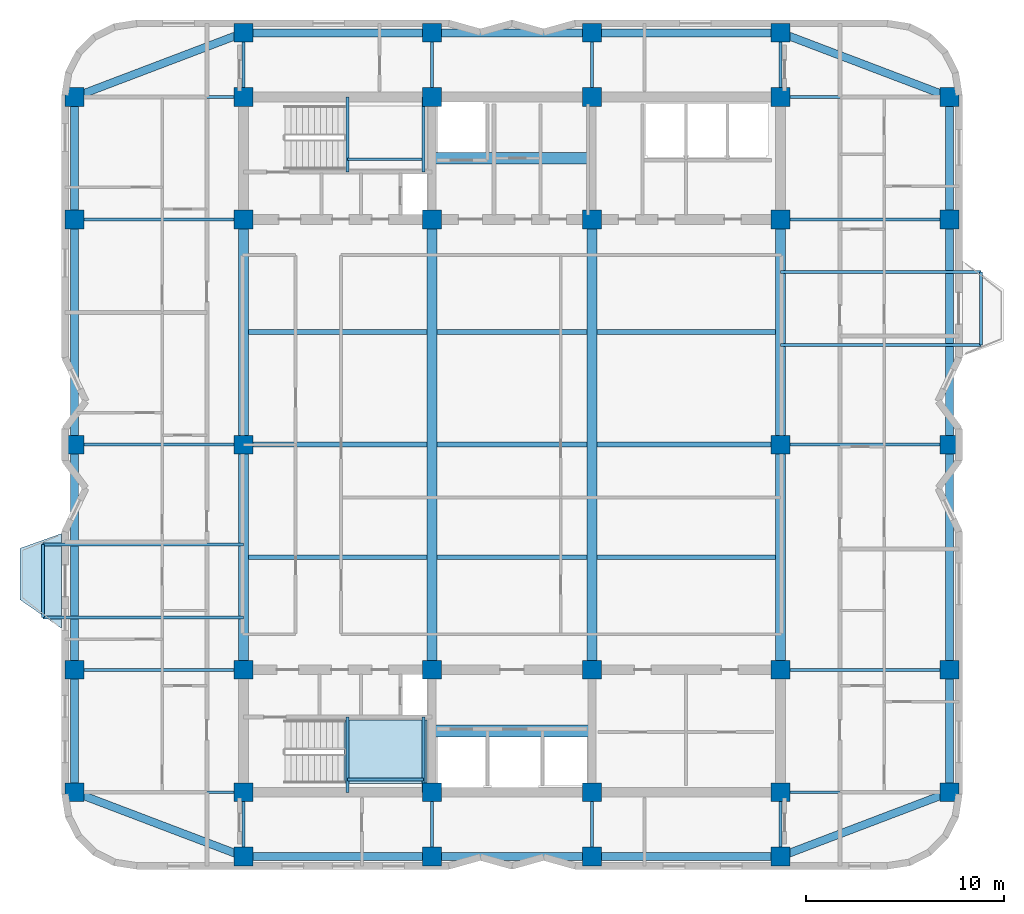
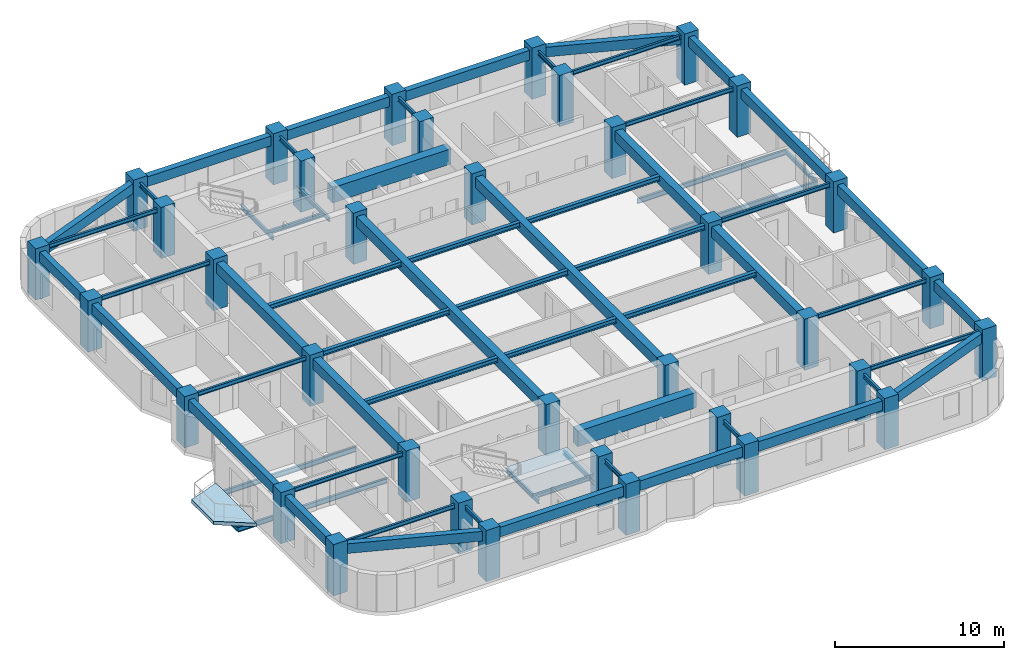
# One storey, part 1 of 9: 65 beams, 36 columns, 2 slabs, 1 element without a shape of its own.
"""IFC4 building model written with IfcOpenShell, lengths in metres."""

from ifc_helpers import new_model, si_unit, direction, frame, origin, origin_2d, place, context, subcontext, project, spatial, polyline, rectangle, i_section, outline, extrude, material, layer, layer_set, material_profile, profile_set, type_object, element, aggregate, save


model = new_model("IFC4")

# Units and contexts
model_context = context("Model", 3, precision=1e-05, world=origin(), true_north=direction((0.0, 1.0)))
body_context = subcontext(model_context, "Body", "Model", "MODEL_VIEW")
ifc_project = project(units=[si_unit("LENGTHUNIT", "METRE"), si_unit("AREAUNIT", "SQUARE_METRE"), si_unit("VOLUMEUNIT", "CUBIC_METRE"), si_unit("PLANEANGLEUNIT", "RADIAN"), si_unit("MASSUNIT", "GRAM", prefix="KILO")], contexts=[model_context])

# Site, building, storey
site_placement = place(None, origin())
site = spatial("IfcSite", under=ifc_project, at=site_placement, CompositionType="ELEMENT")
building_placement = place(site_placement, origin())
building = spatial("IfcBuilding", under=site, at=building_placement, Name="Svetorya Sky Lyceum", CompositionType="ELEMENT")
storey_placement = place(building_placement, frame((0.0, 0.0, 192.199951171875)))
storey = spatial("IfcBuildingStorey", under=building, at=storey_placement, Name="L48", CompositionType="ELEMENT", Elevation=192.199951171875)

# Columns
ifc_material_1 = material(Name="Concrete C50/60", Category="concrete")
ifc_material_profile_1 = material_profile(ifc_material_1, rectangle(XDim=0.949951171875, YDim=0.949951171875, at=origin_2d()), Name="RC COL 950x950")
ifc_profile_set_1 = profile_set([ifc_material_profile_1], Name="Concrete C50/60")
column_type = type_object("IfcColumnType", Name="COL-RC-950", PredefinedType="COLUMN", material=ifc_profile_set_1)
for number, where, z_axis, x_axis, name in (
    (1, (25.60009765625, 10.60009765625, 0.0), (0.0, 0.0, 1.0), (1.0, 0.0, 0.0), "L48 Core Column CS-11"),
    (2, (25.60009765625, 16.800048828125, 0.0), (0.0, 0.0, 1.0), (1.0, 0.0, 0.0), "L48 Core Column CS-12"),
    (3, (35.14990234375, 10.60009765625, 0.0), (0.0, 0.0, 1.0), (1.0, 0.0, 0.0), "L48 Core Column CS-21"),
    (4, (35.14990234375, 16.800048828125, 0.0), (0.0, 0.0, 1.0), (1.0, 0.0, 0.0), "L48 Core Column CS-22"),
    (5, (43.25, 10.60009765625, 0.0), (0.0, 0.0, 1.0), (1.0, 0.0, 0.0), "L48 Core Column CS-31"),
    (6, (43.25, 16.800048828125, 0.0), (0.0, 0.0, 1.0), (1.0, 0.0, 0.0), "L48 Core Column CS-32"),
    (7, (52.800048828125, 10.60009765625, 0.0), (0.0, 0.0, 1.0), (1.0, 0.0, 0.0), "L48 Core Column CS-41"),
    (8, (52.800048828125, 16.800048828125, 0.0), (0.0, 0.0, 1.0), (1.0, 0.0, 0.0), "L48 Core Column CS-42"),
    (9, (25.60009765625, 39.60009765625, 0.0), (0.0, 0.0, 1.0), (1.0, 0.0, 0.0), "L48 Core Column CN-11"),
    (10, (25.60009765625, 45.800048828125, 0.0), (0.0, 0.0, 1.0), (1.0, 0.0, 0.0), "L48 Core Column CN-12"),
    (11, (35.14990234375, 39.60009765625, 0.0), (0.0, 0.0, 1.0), (1.0, 0.0, 0.0), "L48 Core Column CN-21"),
    (12, (35.14990234375, 45.800048828125, 0.0), (0.0, 0.0, 1.0), (1.0, 0.0, 0.0), "L48 Core Column CN-22"),
    (13, (43.25, 39.60009765625, 0.0), (0.0, 0.0, 1.0), (1.0, 0.0, 0.0), "L48 Core Column CN-31"),
    (14, (43.25, 45.800048828125, 0.0), (0.0, 0.0, 1.0), (1.0, 0.0, 0.0), "L48 Core Column CN-32"),
    (15, (52.800048828125, 39.60009765625, 0.0), (0.0, 0.0, 1.0), (1.0, 0.0, 0.0), "L48 Core Column CN-41"),
    (16, (52.800048828125, 45.800048828125, 0.0), (0.0, 0.0, 1.0), (1.0, 0.0, 0.0), "L48 Core Column CN-42"),
    (17, (25.60009765625, 28.199951171875, 0.0), (0.0, 0.0, 1.0), (1.0, 0.0, 0.0), "L48 Core Column CM-W"),
    (18, (52.800048828125, 28.199951171875, 0.0), (0.0, 0.0, 1.0), (1.0, 0.0, 0.0), "L48 Core Column CM-E"),
    (19, (25.60009765625, 7.35009765625, 0.0), (0.0, 0.0, 1.0), (1.0, 0.0, 0.0), "L48 Perimeter Column S1"),
    (20, (25.60009765625, 49.050048828125, 0.0), (0.0, 0.0, 1.0), (1.0, 0.0, 0.0), "L48 Perimeter Column N1"),
    (21, (35.14990234375, 7.35009765625, 0.0), (0.0, 0.0, 1.0), (1.0, 0.0, 0.0), "L48 Perimeter Column S2"),
    (22, (35.14990234375, 49.050048828125, 0.0), (0.0, 0.0, 1.0), (1.0, 0.0, 0.0), "L48 Perimeter Column N2"),
    (23, (43.25, 7.35009765625, 0.0), (0.0, 0.0, 1.0), (1.0, 0.0, 0.0), "L48 Perimeter Column S3"),
    (24, (43.25, 49.050048828125, 0.0), (0.0, 0.0, 1.0), (1.0, 0.0, 0.0), "L48 Perimeter Column N3"),
    (25, (52.800048828125, 7.35009765625, 0.0), (0.0, 0.0, 1.0), (1.0, 0.0, 0.0), "L48 Perimeter Column S4"),
    (26, (52.800048828125, 49.050048828125, 0.0), (0.0, 0.0, 1.0), (1.0, 0.0, 0.0), "L48 Perimeter Column N4"),
    (27, (17.050048828125, 10.60009765625, 0.0), (0.0, 0.0, 1.0), (1.0, 0.0, 0.0), "L48 Perimeter Column W1"),
    (28, (61.35009765625, 10.60009765625, 0.0), (0.0, 0.0, 1.0), (1.0, 0.0, 0.0), "L48 Perimeter Column E1"),
    (29, (17.050048828125, 16.800048828125, 0.0), (0.0, 0.0, 1.0), (1.0, 0.0, 0.0), "L48 Perimeter Column W2"),
    (30, (61.35009765625, 16.800048828125, 0.0), (0.0, 0.0, 1.0), (1.0, 0.0, 0.0), "L48 Perimeter Column E2"),
    (31, (17.050048828125, 28.199951171875, 0.0), (0.0, 0.0, 1.0), (1.0, 0.0, 0.0), "L48 Perimeter Column W3"),
    (32, (61.35009765625, 28.199951171875, 0.0), (0.0, 0.0, 1.0), (1.0, 0.0, 0.0), "L48 Perimeter Column E3"),
    (33, (17.050048828125, 39.60009765625, 0.0), (0.0, 0.0, 1.0), (1.0, 0.0, 0.0), "L48 Perimeter Column W4"),
    (34, (61.35009765625, 39.60009765625, 0.0), (0.0, 0.0, 1.0), (1.0, 0.0, 0.0), "L48 Perimeter Column E4"),
    (35, (17.050048828125, 45.800048828125, 0.0), (0.0, 0.0, 1.0), (1.0, 0.0, 0.0), "L48 Perimeter Column W5"),
    (36, (61.35009765625, 45.800048828125, 0.0), (0.0, 0.0, 1.0), (1.0, 0.0, 0.0), "L48 Perimeter Column E5"),
):
    element("IfcColumn", number, at=place(storey_placement, frame(where, z_axis=z_axis, x_axis=x_axis)), inside=storey, type_object=column_type, Name=name, PredefinedType="COLUMN", context=body_context, shape_type="SweptSolid", body=[
        extrude(rectangle(XDim=0.949951171875, YDim=0.949951171875, at=origin_2d()), origin(), (0.0, 0.0, 1.0), 3.699951171875),
    ])

# Beams
ifc_material_2 = material(Name="Concrete C60/75", Category="concrete")
ifc_material_profile_2 = material_profile(ifc_material_2, rectangle(XDim=0.60009765625, YDim=1.10009765625, at=origin_2d()), Name="RC COUPLING 600x1100")
ifc_profile_set_2 = profile_set([ifc_material_profile_2], Name="Concrete C60/75")
beam_type_1 = type_object("IfcBeamType", Name="BM-CPL-1100", PredefinedType="LINTEL", material=ifc_profile_set_2)
for number, where, z_axis, x_axis, name in (
    (37, (35.14990234375, 13.699951171875, 2.830078125), (1.0, 0.0, 0.0), (0.0, 1.0, 0.0), "L48 SC Core Coupling Beam"),
    (38, (35.14990234375, 42.699951171875, 2.830078125), (1.0, 0.0, 0.0), (0.0, 1.0, 0.0), "L48 NC Core Coupling Beam"),
):
    element("IfcBeam", number, at=place(storey_placement, frame(where, z_axis=z_axis, x_axis=x_axis)), inside=storey, type_object=beam_type_1, Name=name, PredefinedType="LINTEL", context=body_context, shape_type="SweptSolid", body=[
        extrude(rectangle(XDim=0.60009765625, YDim=1.10009765625, at=origin_2d()), origin(), (0.0, 0.0, 1.0), 8.10009765625),
    ])
ifc_material_profile_3 = material_profile(ifc_material_1, rectangle(XDim=0.5, YDim=0.75, at=origin_2d()), Name="RC BEAM 500x750")
ifc_profile_set_3 = profile_set([ifc_material_profile_3], Name="Concrete C50/60")
beam_type_2 = type_object("IfcBeamType", Name="BM-RC-750", PredefinedType="BEAM", material=ifc_profile_set_3)
beam_1_placement = place(storey_placement, frame((25.60009765625, 16.800048828125, 3.005126953125), z_axis=(0.0, 1.0, 0.0), x_axis=(-1.0, 0.0, 0.0)))
element("IfcBeam", 39, at=beam_1_placement, inside=storey, type_object=beam_type_2, Name="L48 Central Bay Primary Girder CG-1A", PredefinedType="BEAM", context=body_context, shape_type="SweptSolid", body=[
    extrude(rectangle(XDim=0.5, YDim=0.75, at=origin_2d()), origin(), (0.0, 0.0, 1.0), 11.39990234375),
])
beam_2_placement = place(storey_placement, frame((25.60009765625, 28.199951171875, 3.005126953125), z_axis=(0.0, 1.0, 0.0), x_axis=(-1.0, 0.0, 0.0)))
element("IfcBeam", 40, at=beam_2_placement, inside=storey, type_object=beam_type_2, Name="L48 Central Bay Primary Girder CG-1B", PredefinedType="BEAM", context=body_context, shape_type="SweptSolid", body=[
    extrude(rectangle(XDim=0.5, YDim=0.75, at=origin_2d()), origin(), (0.0, 0.0, 1.0), 11.400146484375),
])
for number, where, z_axis, x_axis, name in (
    (41, (35.14990234375, 16.800048828125, 3.005126953125), (0.0, 1.0, 0.0), (-1.0, 0.0, 0.0), "L48 Central Bay Primary Girder CG-2"),
    (42, (43.25, 16.800048828125, 3.005126953125), (0.0, 1.0, 0.0), (-1.0, 0.0, 0.0), "L48 Central Bay Primary Girder CG-3"),
):
    element("IfcBeam", number, at=place(storey_placement, frame(where, z_axis=z_axis, x_axis=x_axis)), inside=storey, type_object=beam_type_2, Name=name, PredefinedType="BEAM", context=body_context, shape_type="SweptSolid", body=[
        extrude(rectangle(XDim=0.5, YDim=0.75, at=origin_2d()), origin(), (0.0, 0.0, 1.0), 22.800048828125),
    ])
beam_3_placement = place(storey_placement, frame((52.800048828125, 16.800048828125, 3.005126953125), z_axis=(0.0, 1.0, 0.0), x_axis=(-1.0, 0.0, 0.0)))
element("IfcBeam", 43, at=beam_3_placement, inside=storey, type_object=beam_type_2, Name="L48 Central Bay Primary Girder CG-4A", PredefinedType="BEAM", context=body_context, shape_type="SweptSolid", body=[
    extrude(rectangle(XDim=0.5, YDim=0.75, at=origin_2d()), origin(), (0.0, 0.0, 1.0), 11.39990234375),
])
beam_4_placement = place(storey_placement, frame((52.800048828125, 28.199951171875, 3.005126953125), z_axis=(0.0, 1.0, 0.0), x_axis=(-1.0, 0.0, 0.0)))
element("IfcBeam", 44, at=beam_4_placement, inside=storey, type_object=beam_type_2, Name="L48 Central Bay Primary Girder CG-4B", PredefinedType="BEAM", context=body_context, shape_type="SweptSolid", body=[
    extrude(rectangle(XDim=0.5, YDim=0.75, at=origin_2d()), origin(), (0.0, 0.0, 1.0), 11.400146484375),
])
ifc_material_profile_4 = material_profile(ifc_material_1, rectangle(XDim=0.39990234375, YDim=0.699951171875, at=origin_2d()), Name="RC SPANDREL 400x700")
ifc_profile_set_4 = profile_set([ifc_material_profile_4], Name="Concrete C50/60")
beam_type_3 = type_object("IfcBeamType", Name="BM-SPN-700", PredefinedType="SPANDREL", material=ifc_profile_set_4)
beam_5_placement = place(storey_placement, frame((25.60009765625, 7.35009765625, 3.030029296875), z_axis=(1.0, 0.0, 0.0), x_axis=(0.0, 1.0, 0.0)))
element("IfcBeam", 45, at=beam_5_placement, inside=storey, type_object=beam_type_3, Name="L48 South Spandrel 1", PredefinedType="SPANDREL", context=body_context, shape_type="SweptSolid", body=[
    extrude(rectangle(XDim=0.39990234375, YDim=0.699951171875, at=origin_2d()), origin(), (0.0, 0.0, 1.0), 9.5498046875),
])
beam_6_placement = place(storey_placement, frame((35.14990234375, 7.35009765625, 3.030029296875), z_axis=(1.0, 0.0, 0.0), x_axis=(0.0, 1.0, 0.0)))
element("IfcBeam", 46, at=beam_6_placement, inside=storey, type_object=beam_type_3, Name="L48 South Spandrel 2", PredefinedType="SPANDREL", context=body_context, shape_type="SweptSolid", body=[
    extrude(rectangle(XDim=0.39990234375, YDim=0.699951171875, at=origin_2d()), origin(), (0.0, 0.0, 1.0), 8.10009765625),
])
beam_7_placement = place(storey_placement, frame((43.25, 7.35009765625, 3.030029296875), z_axis=(1.0, 0.0, 0.0), x_axis=(0.0, 1.0, 0.0)))
element("IfcBeam", 47, at=beam_7_placement, inside=storey, type_object=beam_type_3, Name="L48 South Spandrel 3", PredefinedType="SPANDREL", context=body_context, shape_type="SweptSolid", body=[
    extrude(rectangle(XDim=0.39990234375, YDim=0.699951171875, at=origin_2d()), origin(), (0.0, 0.0, 1.0), 9.550048828125),
])
beam_8_placement = place(storey_placement, frame((25.60009765625, 49.050048828125, 3.030029296875), z_axis=(1.0, 0.0, 0.0), x_axis=(0.0, 1.0, 0.0)))
element("IfcBeam", 48, at=beam_8_placement, inside=storey, type_object=beam_type_3, Name="L48 North Spandrel 1", PredefinedType="SPANDREL", context=body_context, shape_type="SweptSolid", body=[
    extrude(rectangle(XDim=0.39990234375, YDim=0.699951171875, at=origin_2d()), origin(), (0.0, 0.0, 1.0), 9.5498046875),
])
beam_9_placement = place(storey_placement, frame((35.14990234375, 49.050048828125, 3.030029296875), z_axis=(1.0, 0.0, 0.0), x_axis=(0.0, 1.0, 0.0)))
element("IfcBeam", 49, at=beam_9_placement, inside=storey, type_object=beam_type_3, Name="L48 North Spandrel 2", PredefinedType="SPANDREL", context=body_context, shape_type="SweptSolid", body=[
    extrude(rectangle(XDim=0.39990234375, YDim=0.699951171875, at=origin_2d()), origin(), (0.0, 0.0, 1.0), 8.10009765625),
])
beam_10_placement = place(storey_placement, frame((43.25, 49.050048828125, 3.030029296875), z_axis=(1.0, 0.0, 0.0), x_axis=(0.0, 1.0, 0.0)))
element("IfcBeam", 50, at=beam_10_placement, inside=storey, type_object=beam_type_3, Name="L48 North Spandrel 3", PredefinedType="SPANDREL", context=body_context, shape_type="SweptSolid", body=[
    extrude(rectangle(XDim=0.39990234375, YDim=0.699951171875, at=origin_2d()), origin(), (0.0, 0.0, 1.0), 9.550048828125),
])
for number, where, z_axis, x_axis, name in (
    (51, (25.60009765625, 7.35009765625, 3.030029296875), (-0.934747947367, 0.355311518099, 0.0), (-0.355311518099, -0.934747947367, 0.0), "L48 Corner Spandrel 1"),
    (52, (52.800048828125, 7.35009765625, 3.030029296875), (0.934747947367, 0.355311518099, 0.0), (-0.355311518099, 0.934747947367, 0.0), "L48 Corner Spandrel 2"),
    (53, (61.35009765625, 45.800048828125, 3.030029296875), (-0.934747947367, 0.355311518099, 0.0), (-0.355311518099, -0.934747947367, 0.0), "L48 Corner Spandrel 3"),
    (54, (17.050048828125, 45.800048828125, 3.030029296875), (0.934747947367, 0.355311518099, 0.0), (-0.355311518099, 0.934747947367, 0.0), "L48 Corner Spandrel 4"),
):
    element("IfcBeam", number, at=place(storey_placement, frame(where, z_axis=z_axis, x_axis=x_axis)), inside=storey, type_object=beam_type_3, Name=name, PredefinedType="SPANDREL", context=body_context, shape_type="SweptSolid", body=[
        extrude(rectangle(XDim=0.39990234375, YDim=0.699951171875, at=origin_2d()), origin(), (0.0, 0.0, 1.0), 9.14697265625),
    ])
beam_11_placement = place(storey_placement, frame((17.050048828125, 10.60009765625, 3.030029296875), z_axis=(0.0, 1.0, 0.0), x_axis=(-1.0, 0.0, 0.0)))
element("IfcBeam", 55, at=beam_11_placement, inside=storey, type_object=beam_type_3, Name="L48 West Spandrel 1", PredefinedType="SPANDREL", context=body_context, shape_type="SweptSolid", body=[
    extrude(rectangle(XDim=0.39990234375, YDim=0.699951171875, at=origin_2d()), origin(), (0.0, 0.0, 1.0), 6.199951171875),
])
beam_12_placement = place(storey_placement, frame((17.050048828125, 16.800048828125, 3.030029296875), z_axis=(0.0, 1.0, 0.0), x_axis=(-1.0, 0.0, 0.0)))
element("IfcBeam", 56, at=beam_12_placement, inside=storey, type_object=beam_type_3, Name="L48 West Spandrel 2", PredefinedType="SPANDREL", context=body_context, shape_type="SweptSolid", body=[
    extrude(rectangle(XDim=0.39990234375, YDim=0.699951171875, at=origin_2d()), origin(), (0.0, 0.0, 1.0), 11.39990234375),
])
beam_13_placement = place(storey_placement, frame((17.050048828125, 28.199951171875, 3.030029296875), z_axis=(0.0, 1.0, 0.0), x_axis=(-1.0, 0.0, 0.0)))
element("IfcBeam", 57, at=beam_13_placement, inside=storey, type_object=beam_type_3, Name="L48 West Spandrel 3", PredefinedType="SPANDREL", context=body_context, shape_type="SweptSolid", body=[
    extrude(rectangle(XDim=0.39990234375, YDim=0.699951171875, at=origin_2d()), origin(), (0.0, 0.0, 1.0), 11.400146484375),
])
for number, where, z_axis, x_axis, name in (
    (58, (17.050048828125, 39.60009765625, 3.030029296875), (0.0, 1.0, 0.0), (-1.0, 0.0, 0.0), "L48 West Spandrel 4"),
    (59, (61.35009765625, 10.60009765625, 3.030029296875), (0.0, 1.0, 0.0), (-1.0, 0.0, 0.0), "L48 East Spandrel 1"),
):
    element("IfcBeam", number, at=place(storey_placement, frame(where, z_axis=z_axis, x_axis=x_axis)), inside=storey, type_object=beam_type_3, Name=name, PredefinedType="SPANDREL", context=body_context, shape_type="SweptSolid", body=[
        extrude(rectangle(XDim=0.39990234375, YDim=0.699951171875, at=origin_2d()), origin(), (0.0, 0.0, 1.0), 6.199951171875),
    ])
beam_14_placement = place(storey_placement, frame((61.35009765625, 16.800048828125, 3.030029296875), z_axis=(0.0, 1.0, 0.0), x_axis=(-1.0, 0.0, 0.0)))
element("IfcBeam", 60, at=beam_14_placement, inside=storey, type_object=beam_type_3, Name="L48 East Spandrel 2", PredefinedType="SPANDREL", context=body_context, shape_type="SweptSolid", body=[
    extrude(rectangle(XDim=0.39990234375, YDim=0.699951171875, at=origin_2d()), origin(), (0.0, 0.0, 1.0), 11.39990234375),
])
beam_15_placement = place(storey_placement, frame((61.35009765625, 28.199951171875, 3.030029296875), z_axis=(0.0, 1.0, 0.0), x_axis=(-1.0, 0.0, 0.0)))
element("IfcBeam", 61, at=beam_15_placement, inside=storey, type_object=beam_type_3, Name="L48 East Spandrel 3", PredefinedType="SPANDREL", context=body_context, shape_type="SweptSolid", body=[
    extrude(rectangle(XDim=0.39990234375, YDim=0.699951171875, at=origin_2d()), origin(), (0.0, 0.0, 1.0), 11.400146484375),
])
beam_16_placement = place(storey_placement, frame((61.35009765625, 39.60009765625, 3.030029296875), z_axis=(0.0, 1.0, 0.0), x_axis=(-1.0, 0.0, 0.0)))
element("IfcBeam", 62, at=beam_16_placement, inside=storey, type_object=beam_type_3, Name="L48 East Spandrel 4", PredefinedType="SPANDREL", context=body_context, shape_type="SweptSolid", body=[
    extrude(rectangle(XDim=0.39990234375, YDim=0.699951171875, at=origin_2d()), origin(), (0.0, 0.0, 1.0), 6.199951171875),
])
ifc_material_3 = material(Name="Steel S355", Category="steel")
ifc_material_profile_5 = material_profile(ifc_material_3, i_section(OverallWidth=0.14990234375, OverallDepth=0.299072265625, WebThickness=0.006591796875, FlangeThickness=0.010498046875, at=origin_2d()), Name="GOST 30B2")
ifc_profile_set_5 = profile_set([ifc_material_profile_5], Name="Steel S355")
beam_type_4 = type_object("IfcBeamType", Name="BM-STL-30B2", PredefinedType="JOIST", material=ifc_profile_set_5)
for number, where, z_axis, x_axis, name in (
    (63, (15.449951171875, 19.449951171875, -0.4345703125), (0.0, 1.0, 0.0), (-1.0, 0.0, 0.0), "L48 Balcony Edge Tie BAL-W1"),
    (64, (62.949951171875, 33.25, -0.4345703125), (0.0, 1.0, 0.0), (-1.0, 0.0, 0.0), "L48 Balcony Edge Tie BAL-E1"),
):
    element("IfcBeam", number, at=place(storey_placement, frame(where, z_axis=z_axis, x_axis=x_axis)), inside=storey, type_object=beam_type_4, Name=name, PredefinedType="JOIST", context=body_context, shape_type="SweptSolid", body=[
        extrude(i_section(OverallWidth=0.14990234375, OverallDepth=0.299072265625, WebThickness=0.006591796875, FlangeThickness=0.010498046875, at=origin_2d()), origin(), (0.0, 0.0, 1.0), 3.699951171875),
    ])
for number, where, z_axis, x_axis, name in (
    (65, (17.050048828125, 10.60009765625, 3.23046875), (1.0, 0.0, 0.0), (0.0, 1.0, 0.0), "L48 West Wing Floor Joist W1"),
    (66, (52.800048828125, 10.60009765625, 3.23046875), (1.0, 0.0, 0.0), (0.0, 1.0, 0.0), "L48 East Wing Floor Joist E1"),
    (67, (17.050048828125, 16.800048828125, 3.23046875), (1.0, 0.0, 0.0), (0.0, 1.0, 0.0), "L48 West Wing Floor Joist W2"),
    (68, (52.800048828125, 16.800048828125, 3.23046875), (1.0, 0.0, 0.0), (0.0, 1.0, 0.0), "L48 East Wing Floor Joist E2"),
    (69, (17.050048828125, 28.199951171875, 3.23046875), (1.0, 0.0, 0.0), (0.0, 1.0, 0.0), "L48 West Wing Floor Joist W3"),
    (70, (52.800048828125, 28.199951171875, 3.23046875), (1.0, 0.0, 0.0), (0.0, 1.0, 0.0), "L48 East Wing Floor Joist E3"),
    (71, (17.050048828125, 39.60009765625, 3.23046875), (1.0, 0.0, 0.0), (0.0, 1.0, 0.0), "L48 West Wing Floor Joist W4"),
    (72, (52.800048828125, 39.60009765625, 3.23046875), (1.0, 0.0, 0.0), (0.0, 1.0, 0.0), "L48 East Wing Floor Joist E4"),
    (73, (17.050048828125, 45.800048828125, 3.23046875), (1.0, 0.0, 0.0), (0.0, 1.0, 0.0), "L48 West Wing Floor Joist W5"),
    (74, (52.800048828125, 45.800048828125, 3.23046875), (1.0, 0.0, 0.0), (0.0, 1.0, 0.0), "L48 East Wing Floor Joist E5"),
):
    element("IfcBeam", number, at=place(storey_placement, frame(where, z_axis=z_axis, x_axis=x_axis)), inside=storey, type_object=beam_type_4, Name=name, PredefinedType="JOIST", context=body_context, shape_type="SweptSolid", body=[
        extrude(i_section(OverallWidth=0.14990234375, OverallDepth=0.299072265625, WebThickness=0.006591796875, FlangeThickness=0.010498046875, at=origin_2d()), origin(), (0.0, 0.0, 1.0), 8.550048828125),
    ])
for number, where, z_axis, x_axis, name in (
    (75, (25.60009765625, 7.35009765625, 3.23046875), (0.0, 1.0, 0.0), (-1.0, 0.0, 0.0), "L48 South Bay Floor Girder S1"),
    (76, (25.60009765625, 45.800048828125, 3.23046875), (0.0, 1.0, 0.0), (-1.0, 0.0, 0.0), "L48 North Bay Floor Girder N1"),
    (77, (35.14990234375, 7.35009765625, 3.23046875), (0.0, 1.0, 0.0), (-1.0, 0.0, 0.0), "L48 South Bay Floor Girder S2"),
    (78, (35.14990234375, 45.800048828125, 3.23046875), (0.0, 1.0, 0.0), (-1.0, 0.0, 0.0), "L48 North Bay Floor Girder N2"),
    (79, (43.25, 7.35009765625, 3.23046875), (0.0, 1.0, 0.0), (-1.0, 0.0, 0.0), "L48 South Bay Floor Girder S3"),
    (80, (43.25, 45.800048828125, 3.23046875), (0.0, 1.0, 0.0), (-1.0, 0.0, 0.0), "L48 North Bay Floor Girder N3"),
    (81, (52.800048828125, 7.35009765625, 3.23046875), (0.0, 1.0, 0.0), (-1.0, 0.0, 0.0), "L48 South Bay Floor Girder S4"),
    (82, (52.800048828125, 45.800048828125, 3.23046875), (0.0, 1.0, 0.0), (-1.0, 0.0, 0.0), "L48 North Bay Floor Girder N4"),
):
    element("IfcBeam", number, at=place(storey_placement, frame(where, z_axis=z_axis, x_axis=x_axis)), inside=storey, type_object=beam_type_4, Name=name, PredefinedType="JOIST", context=body_context, shape_type="SweptSolid", body=[
        extrude(i_section(OverallWidth=0.14990234375, OverallDepth=0.299072265625, WebThickness=0.006591796875, FlangeThickness=0.010498046875, at=origin_2d()), origin(), (0.0, 0.0, 1.0), 3.25),
    ])
for number, where, z_axis, x_axis, name in (
    (83, (30.8798828125, 10.60009765625, 1.50048828125), (0.0, 1.0, 0.0), (-1.0, 0.0, 0.0), "L48 Stair ST-S Half-Landing Support Beam 54.1"),
    (84, (34.719970703125, 10.60009765625, 1.50048828125), (0.0, 1.0, 0.0), (-1.0, 0.0, 0.0), "L48 Stair ST-S Half-Landing Support Beam 54.2"),
):
    element("IfcBeam", number, at=place(storey_placement, frame(where, z_axis=z_axis, x_axis=x_axis)), inside=storey, type_object=beam_type_4, Name=name, PredefinedType="JOIST", context=body_context, shape_type="SweptSolid", body=[
        extrude(i_section(OverallWidth=0.14990234375, OverallDepth=0.299072265625, WebThickness=0.006591796875, FlangeThickness=0.010498046875, at=origin_2d()), origin(), (0.0, 0.0, 1.0), 3.7998046875),
    ])
beam_17_placement = place(storey_placement, frame((30.8798828125, 11.25, 1.50048828125), z_axis=(1.0, 0.0, 0.0), x_axis=(0.0, 1.0, 0.0)))
element("IfcBeam", 85, at=beam_17_placement, inside=storey, type_object=beam_type_4, Name="L48 Stair ST-S Half-Landing Cross Tie 54", PredefinedType="JOIST", context=body_context, shape_type="SweptSolid", body=[
    extrude(i_section(OverallWidth=0.14990234375, OverallDepth=0.299072265625, WebThickness=0.006591796875, FlangeThickness=0.010498046875, at=origin_2d()), origin(), (0.0, 0.0, 1.0), 3.840087890625),
])
for number, where, z_axis, x_axis, name in (
    (86, (30.8798828125, 42.0, 1.50048828125), (0.0, 1.0, 0.0), (-1.0, 0.0, 0.0), "L48 Stair ST-N Half-Landing Support Beam 54.1"),
    (87, (34.719970703125, 42.0, 1.50048828125), (0.0, 1.0, 0.0), (-1.0, 0.0, 0.0), "L48 Stair ST-N Half-Landing Support Beam 54.2"),
):
    element("IfcBeam", number, at=place(storey_placement, frame(where, z_axis=z_axis, x_axis=x_axis)), inside=storey, type_object=beam_type_4, Name=name, PredefinedType="JOIST", context=body_context, shape_type="SweptSolid", body=[
        extrude(i_section(OverallWidth=0.14990234375, OverallDepth=0.299072265625, WebThickness=0.006591796875, FlangeThickness=0.010498046875, at=origin_2d()), origin(), (0.0, 0.0, 1.0), 3.800048828125),
    ])
beam_18_placement = place(storey_placement, frame((30.8798828125, 42.64990234375, 1.50048828125), z_axis=(1.0, 0.0, 0.0), x_axis=(0.0, 1.0, 0.0)))
element("IfcBeam", 88, at=beam_18_placement, inside=storey, type_object=beam_type_4, Name="L48 Stair ST-N Half-Landing Cross Tie 54", PredefinedType="JOIST", context=body_context, shape_type="SweptSolid", body=[
    extrude(i_section(OverallWidth=0.14990234375, OverallDepth=0.299072265625, WebThickness=0.006591796875, FlangeThickness=0.010498046875, at=origin_2d()), origin(), (0.0, 0.0, 1.0), 3.840087890625),
])
ifc_material_profile_6 = material_profile(ifc_material_3, i_section(OverallWidth=0.155029296875, OverallDepth=0.34912109375, WebThickness=0.007080078125, FlangeThickness=0.011474609375, at=origin_2d()), Name="GOST 35B2")
ifc_profile_set_6 = profile_set([ifc_material_profile_6], Name="Steel S355")
beam_type_5 = type_object("IfcBeamType", Name="BM-STL-35B2", PredefinedType="JOIST", material=ifc_profile_set_6)
for number, where, z_axis, x_axis, name in (
    (89, (25.60009765625, 19.449951171875, -0.4345703125), (-1.0, 0.0, 0.0), (0.0, -1.0, 0.0), "L48 Balcony Cantilever Beam BAL-W1-1"),
    (90, (25.60009765625, 23.14990234375, -0.4345703125), (-1.0, 0.0, 0.0), (0.0, -1.0, 0.0), "L48 Balcony Cantilever Beam BAL-W1-2"),
):
    element("IfcBeam", number, at=place(storey_placement, frame(where, z_axis=z_axis, x_axis=x_axis)), inside=storey, type_object=beam_type_5, Name=name, PredefinedType="JOIST", context=body_context, shape_type="SweptSolid", body=[
        extrude(i_section(OverallWidth=0.155029296875, OverallDepth=0.34912109375, WebThickness=0.007080078125, FlangeThickness=0.011474609375, at=origin_2d()), origin(), (0.0, 0.0, 1.0), 10.150146484375),
    ])
for number, where, z_axis, x_axis, name in (
    (91, (52.800048828125, 33.25, -0.4345703125), (1.0, 0.0, 0.0), (0.0, 1.0, 0.0), "L48 Balcony Cantilever Beam BAL-E1-1"),
    (92, (52.800048828125, 36.949951171875, -0.4345703125), (1.0, 0.0, 0.0), (0.0, 1.0, 0.0), "L48 Balcony Cantilever Beam BAL-E1-2"),
):
    element("IfcBeam", number, at=place(storey_placement, frame(where, z_axis=z_axis, x_axis=x_axis)), inside=storey, type_object=beam_type_5, Name=name, PredefinedType="JOIST", context=body_context, shape_type="SweptSolid", body=[
        extrude(i_section(OverallWidth=0.155029296875, OverallDepth=0.34912109375, WebThickness=0.007080078125, FlangeThickness=0.011474609375, at=origin_2d()), origin(), (0.0, 0.0, 1.0), 10.14990234375),
    ])
ifc_material_profile_7 = material_profile(ifc_material_3, i_section(OverallWidth=0.25, OverallDepth=0.345947265625, WebThickness=0.009521484375, FlangeThickness=0.014404296875, at=origin_2d()), Name="GOST 35Sh2")
ifc_profile_set_7 = profile_set([ifc_material_profile_7], Name="Steel S355")
beam_type_6 = type_object("IfcBeamType", Name="BM-STL-35SH2", PredefinedType="BEAM", material=ifc_profile_set_7)
beam_19_placement = place(storey_placement, frame((25.85009765625, 22.5, 3.20703125), z_axis=(1.0, 0.0, 0.0), x_axis=(0.0, 1.0, 0.0)))
element("IfcBeam", 93, at=beam_19_placement, inside=storey, type_object=beam_type_6, Name="L48 Central Floor Joist CJ-1.1", PredefinedType="BEAM", context=body_context, shape_type="SweptSolid", body=[
    extrude(i_section(OverallWidth=0.25, OverallDepth=0.345947265625, WebThickness=0.009521484375, FlangeThickness=0.014404296875, at=origin_2d()), origin(), (0.0, 0.0, 1.0), 9.0498046875),
])
beam_20_placement = place(storey_placement, frame((35.39990234375, 22.5, 3.20703125), z_axis=(1.0, 0.0, 0.0), x_axis=(0.0, 1.0, 0.0)))
element("IfcBeam", 94, at=beam_20_placement, inside=storey, type_object=beam_type_6, Name="L48 Central Floor Joist CJ-1.2", PredefinedType="BEAM", context=body_context, shape_type="SweptSolid", body=[
    extrude(i_section(OverallWidth=0.25, OverallDepth=0.345947265625, WebThickness=0.009521484375, FlangeThickness=0.014404296875, at=origin_2d()), origin(), (0.0, 0.0, 1.0), 7.60009765625),
])
beam_21_placement = place(storey_placement, frame((43.5, 22.5, 3.20703125), z_axis=(1.0, 0.0, 0.0), x_axis=(0.0, 1.0, 0.0)))
element("IfcBeam", 95, at=beam_21_placement, inside=storey, type_object=beam_type_6, Name="L48 Central Floor Joist CJ-1.3", PredefinedType="BEAM", context=body_context, shape_type="SweptSolid", body=[
    extrude(i_section(OverallWidth=0.25, OverallDepth=0.345947265625, WebThickness=0.009521484375, FlangeThickness=0.014404296875, at=origin_2d()), origin(), (0.0, 0.0, 1.0), 9.050048828125),
])
beam_22_placement = place(storey_placement, frame((25.85009765625, 28.199951171875, 3.20703125), z_axis=(1.0, 0.0, 0.0), x_axis=(0.0, 1.0, 0.0)))
element("IfcBeam", 96, at=beam_22_placement, inside=storey, type_object=beam_type_6, Name="L48 Central Floor Joist CJ-2.1", PredefinedType="BEAM", context=body_context, shape_type="SweptSolid", body=[
    extrude(i_section(OverallWidth=0.25, OverallDepth=0.345947265625, WebThickness=0.009521484375, FlangeThickness=0.014404296875, at=origin_2d()), origin(), (0.0, 0.0, 1.0), 9.0498046875),
])
beam_23_placement = place(storey_placement, frame((35.39990234375, 28.199951171875, 3.20703125), z_axis=(1.0, 0.0, 0.0), x_axis=(0.0, 1.0, 0.0)))
element("IfcBeam", 97, at=beam_23_placement, inside=storey, type_object=beam_type_6, Name="L48 Central Floor Joist CJ-2.2", PredefinedType="BEAM", context=body_context, shape_type="SweptSolid", body=[
    extrude(i_section(OverallWidth=0.25, OverallDepth=0.345947265625, WebThickness=0.009521484375, FlangeThickness=0.014404296875, at=origin_2d()), origin(), (0.0, 0.0, 1.0), 7.60009765625),
])
beam_24_placement = place(storey_placement, frame((43.5, 28.199951171875, 3.20703125), z_axis=(1.0, 0.0, 0.0), x_axis=(0.0, 1.0, 0.0)))
element("IfcBeam", 98, at=beam_24_placement, inside=storey, type_object=beam_type_6, Name="L48 Central Floor Joist CJ-2.3", PredefinedType="BEAM", context=body_context, shape_type="SweptSolid", body=[
    extrude(i_section(OverallWidth=0.25, OverallDepth=0.345947265625, WebThickness=0.009521484375, FlangeThickness=0.014404296875, at=origin_2d()), origin(), (0.0, 0.0, 1.0), 9.050048828125),
])
beam_25_placement = place(storey_placement, frame((25.85009765625, 33.89990234375, 3.20703125), z_axis=(1.0, 0.0, 0.0), x_axis=(0.0, 1.0, 0.0)))
element("IfcBeam", 99, at=beam_25_placement, inside=storey, type_object=beam_type_6, Name="L48 Central Floor Joist CJ-3.1", PredefinedType="BEAM", context=body_context, shape_type="SweptSolid", body=[
    extrude(i_section(OverallWidth=0.25, OverallDepth=0.345947265625, WebThickness=0.009521484375, FlangeThickness=0.014404296875, at=origin_2d()), origin(), (0.0, 0.0, 1.0), 9.0498046875),
])
beam_26_placement = place(storey_placement, frame((35.39990234375, 33.89990234375, 3.20703125), z_axis=(1.0, 0.0, 0.0), x_axis=(0.0, 1.0, 0.0)))
element("IfcBeam", 100, at=beam_26_placement, inside=storey, type_object=beam_type_6, Name="L48 Central Floor Joist CJ-3.2", PredefinedType="BEAM", context=body_context, shape_type="SweptSolid", body=[
    extrude(i_section(OverallWidth=0.25, OverallDepth=0.345947265625, WebThickness=0.009521484375, FlangeThickness=0.014404296875, at=origin_2d()), origin(), (0.0, 0.0, 1.0), 7.60009765625),
])
beam_27_placement = place(storey_placement, frame((43.5, 33.89990234375, 3.20703125), z_axis=(1.0, 0.0, 0.0), x_axis=(0.0, 1.0, 0.0)))
element("IfcBeam", 101, at=beam_27_placement, inside=storey, type_object=beam_type_6, Name="L48 Central Floor Joist CJ-3.3", PredefinedType="BEAM", context=body_context, shape_type="SweptSolid", body=[
    extrude(i_section(OverallWidth=0.25, OverallDepth=0.345947265625, WebThickness=0.009521484375, FlangeThickness=0.014404296875, at=origin_2d()), origin(), (0.0, 0.0, 1.0), 9.050048828125),
])

# Slab
ifc_material_4 = material(Name="Concrete C40/50", Category="concrete")
ifc_layer_1 = layer(ifc_material_4, 0.260009765625)
ifc_layer_set_1 = layer_set([ifc_layer_1], Name="Concrete C40/50")
slab_type_1 = type_object("IfcSlabType", Name="SL-BAL-260", PredefinedType="FLOOR", material=ifc_layer_set_1)
slab_1_placement = place(storey_placement, frame((0.0, 0.0, -0.260009765625)))
element("IfcSlab", 102, at=slab_1_placement, inside=storey, type_object=slab_type_1, Name="L48 Chamfered Loggia Balcony BAL-W1", PredefinedType="FLOOR", context=body_context, shape_type="SweptSolid", body=[
    extrude(outline(polyline([(16.389892578125, 18.89990234375), (16.389892578125, 23.699951171875), (14.2900390625, 22.949951171875), (14.2900390625, 20.35009765625), (16.389892578125, 18.89990234375)])), origin(), (0.0, 0.0, 1.0), 0.260009765625),
])

# Stair, slab
stair_type = type_object("IfcStairType", Name="STR-ST-S", PredefinedType="HALF_TURN_STAIR", material=ifc_material_4)
stair_placement = place(storey_placement, origin())
stair = element("IfcStair", 103, at=stair_placement, inside=storey, type_object=stair_type, Name="L48 South Core Smoke-Free Exit Stair N2", PredefinedType="HALF_TURN_STAIR")
ifc_layer_2 = layer(ifc_material_4, 0.199951171875)
ifc_layer_set_2 = layer_set([ifc_layer_2], Name="Concrete C40/50")
slab_type_2 = type_object("IfcSlabType", Name="SL-STR-LAND-200", PredefinedType="LANDING", material=ifc_layer_set_2)
slab_2_placement = place(storey_placement, frame((0.0, 0.0, 1.650146484375)))
slab_2 = element("IfcSlab", 104, at=slab_2_placement, type_object=slab_type_2, Name="ST-S landing 1", PredefinedType="LANDING", context=body_context, shape_type="SweptSolid", body=[
    extrude(outline(polyline([(30.699951171875, 11.050048828125), (34.89990234375, 11.050048828125), (34.89990234375, 14.25), (30.699951171875, 14.25), (30.699951171875, 11.050048828125)])), origin(), (0.0, 0.0, 1.0), 0.199951171875),
])
aggregate(stair, [slab_2])

save(model, "model.ifc")
